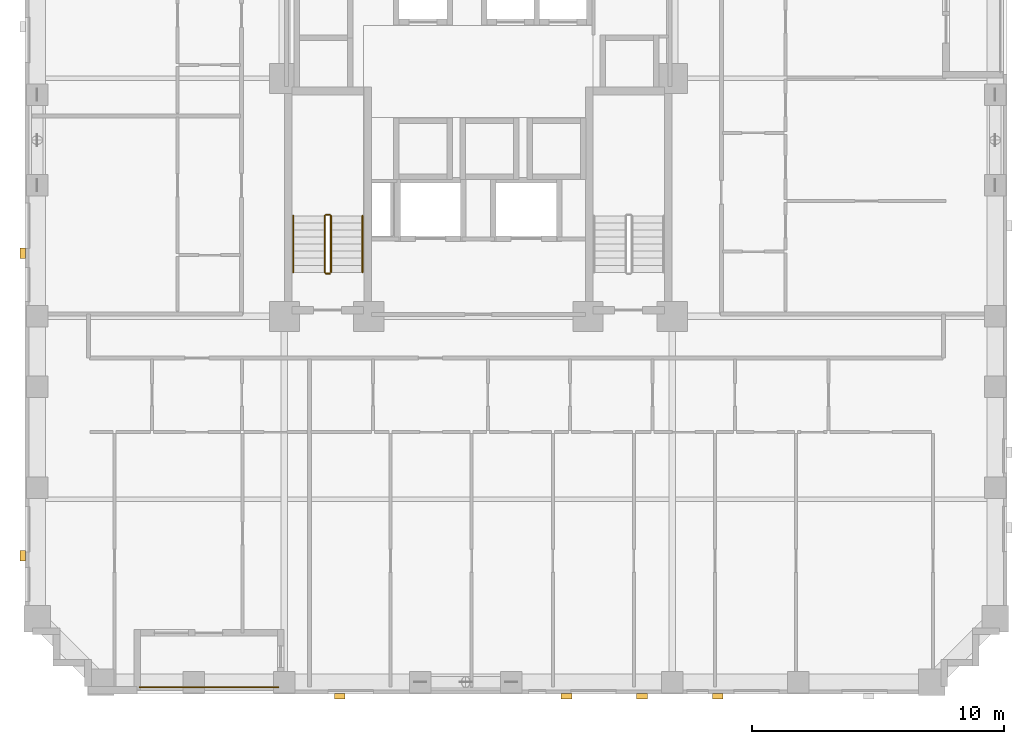
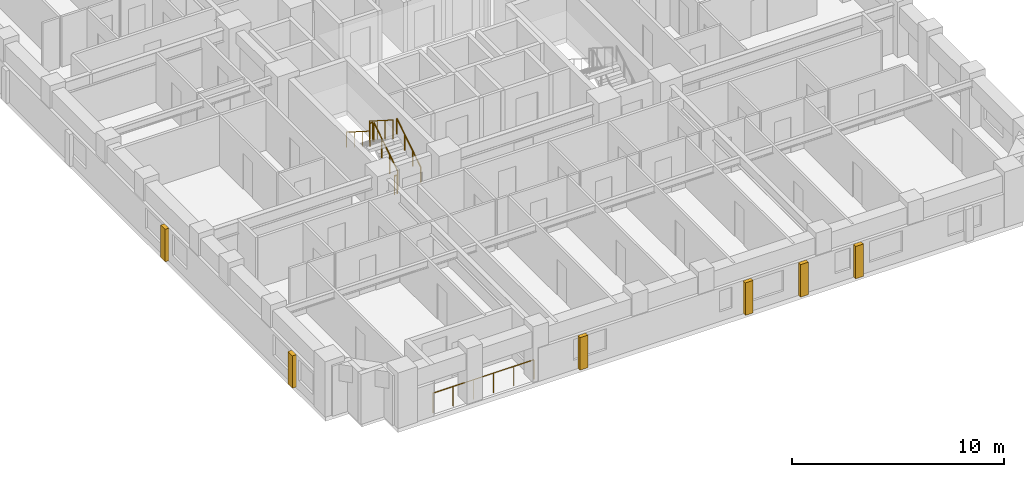
# One storey, part 12 of 14: 7 railings, 6 coverings.
"""IFC4 building model written with IfcOpenShell, lengths in metres."""

from ifc_helpers import new_model, si_unit, derived_unit, direction, frame, origin, origin_2d, place, context, subcontext, project, spatial, rectangle, circle, extrude, material, layer, layer_set, type_object, element, save


model = new_model("IFC4")

# Units and contexts
model_context = context("Model", 3, precision=1e-05, world=origin(), true_north=direction((0.0, 1.0)))
body_context = subcontext(model_context, "Body", "Model", "MODEL_VIEW")
ifc_project = project(units=[si_unit("LENGTHUNIT", "METRE"), si_unit("AREAUNIT", "SQUARE_METRE"), si_unit("VOLUMEUNIT", "CUBIC_METRE"), si_unit("PLANEANGLEUNIT", "RADIAN"), si_unit("MASSUNIT", "GRAM", prefix="KILO"), derived_unit("THERMALTRANSMITTANCEUNIT", [(si_unit("MASSUNIT", "GRAM", prefix="KILO"), 1), (si_unit("TIMEUNIT", "SECOND"), -3), (si_unit("THERMODYNAMICTEMPERATUREUNIT", "KELVIN"), -1)])], contexts=[model_context])

# Site, building, storey
site_placement = place(None, origin())
site = spatial("IfcSite", under=ifc_project, at=site_placement, CompositionType="ELEMENT")
building_placement = place(site_placement, origin())
building = spatial("IfcBuilding", under=site, at=building_placement, Name="Korrvale Station Residences", CompositionType="ELEMENT")
storey_placement = place(building_placement, frame((0.0, 0.0, 67.39990234375)))
storey = spatial("IfcBuildingStorey", under=building, at=storey_placement, Name="L18", CompositionType="ELEMENT", Elevation=67.39990234375)

# Coverings
ifc_material_1 = material(Name="Architectural precast concrete C45/55", Category="concrete")
ifc_layer = layer(ifc_material_1, 0.219970703125, Name="Architectural precast concrete C45/55")
ifc_layer_set = layer_set([ifc_layer], Name="Architectural precast concrete C45/55")
covering_type = type_object("IfcCoveringType", Name="COV-PIER-400", PredefinedType="CLADDING", material=ifc_layer_set)
for number, where, z_axis, x_axis, name in (
    (1, (35.0, -0.090087890625, 0.02490234375), (0.0, 0.0, 1.0), (1.0, 0.0, 0.0), "L18 Architectural Precast Facade Pier 02"),
    (2, (32.0, -0.090087890625, 0.02490234375), (0.0, 0.0, 1.0), (1.0, 0.0, 0.0), "L18 Architectural Precast Facade Pier 03"),
    (3, (29.0, -0.090087890625, 0.02490234375), (0.0, 0.0, 1.0), (1.0, 0.0, 0.0), "L18 Architectural Precast Facade Pier 04"),
    (4, (20.0, -0.090087890625, 0.02490234375), (0.0, 0.0, 1.0), (1.0, 0.0, 0.0), "L18 Architectural Precast Facade Pier 05"),
    (5, (7.409912109375, 5.5, 0.02490234375), (0.0, 0.0, 1.0), (0.0, 1.0, 0.0), "L18 Architectural Precast Facade Pier 12"),
    (6, (7.409912109375, 17.5, 0.02490234375), (0.0, 0.0, 1.0), (0.0, 1.0, 0.0), "L18 Architectural Precast Facade Pier 13"),
):
    element("IfcCovering", number, at=place(storey_placement, frame(where, z_axis=z_axis, x_axis=x_axis)), inside=storey, type_object=covering_type, Name=name, PredefinedType="CLADDING", context=body_context, shape_type="SweptSolid", body=[
        extrude(rectangle(XDim=0.419921875, YDim=0.219970703125, at=origin_2d()), origin(), (0.0, 0.0, 1.0), 1.864990234375),
    ])

# Railings
ifc_material_2 = material(Name="Powder-coated aluminium picket loggia guard", Category="aluminium")
railing_type_1 = type_object("IfcRailingType", Name="RLG-BAL-1150", PredefinedType="GUARDRAIL", material=ifc_material_2)
railing_1_placement = place(storey_placement, frame((12.050048828125, 0.27001953125, 0.0)))
element("IfcRailing", 7, at=railing_1_placement, inside=storey, type_object=railing_type_1, Name="L18 Recessed Loggia Guardrail BAL-L18-S1", PredefinedType="GUARDRAIL", context=body_context, shape_type="SweptSolid", body=[
    extrude(circle(Radius=0.02392578125, at=origin_2d()), frame((0.0, 0.0, 1.1259765625), z_axis=(1.0, 0.0, 0.0), x_axis=(0.0, 1.0, 0.0)), (0.0, 0.0, 1.0), 5.5),
    extrude(circle(Radius=0.02099609375, at=origin_2d()), origin(), (0.0, 0.0, 1.0), 1.101806640625),
    extrude(circle(Radius=0.02099609375, at=origin_2d()), frame((1.10009765625, 0.0, 0.0)), (0.0, 0.0, 1.0), 1.101806640625),
    extrude(circle(Radius=0.02099609375, at=origin_2d()), frame((2.199951171875, 0.0, 0.0)), (0.0, 0.0, 1.0), 1.101806640625),
    extrude(circle(Radius=0.02099609375, at=origin_2d()), frame((3.300048828125, 0.0, 0.0)), (0.0, 0.0, 1.0), 1.101806640625),
    extrude(circle(Radius=0.02099609375, at=origin_2d()), frame((4.39990234375, 0.0, 0.0)), (0.0, 0.0, 1.0), 1.101806640625),
    extrude(circle(Radius=0.02099609375, at=origin_2d()), frame((5.5, 0.0, 0.0)), (0.0, 0.0, 1.0), 1.101806640625),
])
ifc_material_3 = material(Name="Brushed stainless-steel continuous stair handrail", Category="steel")
railing_type_2 = type_object("IfcRailingType", Name="RLG-SHND-900", PredefinedType="HANDRAIL", material=ifc_material_3)
railing_2_placement = place(storey_placement, frame((20.89990234375, 16.75, 0.177978515625)))
element("IfcRailing", 8, at=railing_2_placement, inside=storey, type_object=railing_type_2, Name="L18 ST-1 stair handrail 1", PredefinedType="HANDRAIL", context=body_context, shape_type="SweptSolid", body=[
    extrude(circle(Radius=0.02392578125, at=origin_2d()), frame((0.0, 0.0, 0.8759765625), z_axis=(0.0, 0.8442293374, 0.53598211339), x_axis=(-1.0, 0.0, 0.0)), (0.0, 0.0, 1.0), 2.6533203125),
    extrude(circle(Radius=0.02099609375, at=origin_2d()), origin(), (0.0, 0.0, 1.0), 0.851806640625),
    extrude(circle(Radius=0.02099609375, at=origin_2d()), frame((0.0, 0.74658203125, 0.47412109375)), (0.0, 0.0, 1.0), 0.851806640625),
    extrude(circle(Radius=0.02099609375, at=origin_2d()), frame((0.0, 1.493408203125, 0.947998046875)), (0.0, 0.0, 1.0), 0.851806640625),
    extrude(circle(Radius=0.02099609375, at=origin_2d()), frame((0.0, 2.239990234375, 1.422119140625)), (0.0, 0.0, 1.0), 0.851806640625),
])
railing_3_placement = place(storey_placement, frame((18.14990234375, 18.989990234375, 1.77783203125)))
element("IfcRailing", 9, at=railing_3_placement, inside=storey, type_object=railing_type_2, Name="L18 ST-1 stair handrail 2", PredefinedType="HANDRAIL", context=body_context, shape_type="SweptSolid", body=[
    extrude(circle(Radius=0.02392578125, at=origin_2d()), frame((0.0, 0.0, 0.8759765625), z_axis=(0.0, -0.84418770128, 0.536047689118), x_axis=(1.0, 0.0, 0.0)), (0.0, 0.0, 1.0), 2.6533203125),
    extrude(circle(Radius=0.02099609375, at=origin_2d()), origin(), (0.0, 0.0, 1.0), 0.851806640625),
    extrude(circle(Radius=0.02099609375, at=origin_2d()), frame((0.0, -0.74658203125, 0.47412109375)), (0.0, 0.0, 1.0), 0.851806640625),
    extrude(circle(Radius=0.02099609375, at=origin_2d()), frame((0.0, -1.493408203125, 0.9482421875)), (0.0, 0.0, 1.0), 0.851806640625),
    extrude(circle(Radius=0.02099609375, at=origin_2d()), frame((0.0, -2.239990234375, 1.42236328125)), (0.0, 0.0, 1.0), 0.851806640625),
])
ifc_material_4 = material(Name="Galvanised painted tubular steel stair guard", Category="steel")
railing_type_3 = type_object("IfcRailingType", Name="RLG-STR-1100", PredefinedType="GUARDRAIL", material=ifc_material_4)
railing_4_placement = place(storey_placement, frame((19.64990234375, 16.75, 0.177978515625)))
element("IfcRailing", 10, at=railing_4_placement, inside=storey, type_object=railing_type_3, Name="L18 ST-1 stair guard 1", PredefinedType="GUARDRAIL", context=body_context, shape_type="SweptSolid", body=[
    extrude(circle(Radius=0.02392578125, at=origin_2d()), frame((0.0, 0.0, 1.076171875), z_axis=(0.0, 0.8442293374, 0.53598211339), x_axis=(-1.0, 0.0, 0.0)), (0.0, 0.0, 1.0), 2.6533203125),
    extrude(circle(Radius=0.02099609375, at=origin_2d()), origin(), (0.0, 0.0, 1.0), 1.052001953125),
    extrude(circle(Radius=0.02099609375, at=origin_2d()), frame((0.0, 0.74658203125, 0.47412109375)), (0.0, 0.0, 1.0), 1.052001953125),
    extrude(circle(Radius=0.02099609375, at=origin_2d()), frame((0.0, 1.493408203125, 0.947998046875)), (0.0, 0.0, 1.0), 1.052001953125),
    extrude(circle(Radius=0.02099609375, at=origin_2d()), frame((0.0, 2.239990234375, 1.422119140625)), (0.0, 0.0, 1.0), 1.052001953125),
])
railing_5_placement = place(storey_placement, frame((19.60009765625, 19.0400390625, 1.60009765625)))
element("IfcRailing", 11, at=railing_5_placement, inside=storey, type_object=railing_type_3, Name="L18 ST-1 stair guard 2", PredefinedType="GUARDRAIL", context=body_context, shape_type="SweptSolid", body=[
    extrude(circle(Radius=0.02392578125, at=origin_2d()), frame((0.0, 0.0, 1.076171875), z_axis=(-1.0, 0.0, 0.0), x_axis=(0.0, -1.0, 0.0)), (0.0, 0.0, 1.0), 0.150146484375),
    extrude(circle(Radius=0.02099609375, at=origin_2d()), origin(), (0.0, 0.0, 1.0), 1.052001953125),
    extrude(circle(Radius=0.02099609375, at=origin_2d()), frame((-0.150146484375, 0.0, 0.0)), (0.0, 0.0, 1.0), 1.052001953125),
])
railing_6_placement = place(storey_placement, frame((19.39990234375, 18.989990234375, 1.77783203125)))
element("IfcRailing", 12, at=railing_6_placement, inside=storey, type_object=railing_type_3, Name="L18 ST-1 stair guard 3", PredefinedType="GUARDRAIL", context=body_context, shape_type="SweptSolid", body=[
    extrude(circle(Radius=0.02392578125, at=origin_2d()), frame((0.0, 0.0, 1.076171875), z_axis=(0.0, -0.84418770128, 0.536047689118), x_axis=(1.0, 0.0, 0.0)), (0.0, 0.0, 1.0), 2.6533203125),
    extrude(circle(Radius=0.02099609375, at=origin_2d()), origin(), (0.0, 0.0, 1.0), 1.052001953125),
    extrude(circle(Radius=0.02099609375, at=origin_2d()), frame((0.0, -0.74658203125, 0.47412109375)), (0.0, 0.0, 1.0), 1.052001953125),
    extrude(circle(Radius=0.02099609375, at=origin_2d()), frame((0.0, -1.493408203125, 0.9482421875)), (0.0, 0.0, 1.0), 1.052001953125),
    extrude(circle(Radius=0.02099609375, at=origin_2d()), frame((0.0, -2.239990234375, 1.42236328125)), (0.0, 0.0, 1.0), 1.052001953125),
])
railing_7_placement = place(storey_placement, frame((19.60009765625, 16.699951171875, 0.0)))
element("IfcRailing", 13, at=railing_7_placement, inside=storey, type_object=railing_type_3, Name="L18 ST-1 stair guard 4", PredefinedType="GUARDRAIL", context=body_context, shape_type="SweptSolid", body=[
    extrude(circle(Radius=0.02392578125, at=origin_2d()), frame((0.0, 0.0, 1.076171875), z_axis=(-1.0, 0.0, 0.0), x_axis=(0.0, -1.0, 0.0)), (0.0, 0.0, 1.0), 0.150146484375),
    extrude(circle(Radius=0.02099609375, at=origin_2d()), origin(), (0.0, 0.0, 1.0), 1.052001953125),
    extrude(circle(Radius=0.02099609375, at=origin_2d()), frame((-0.150146484375, 0.0, 0.0)), (0.0, 0.0, 1.0), 1.052001953125),
])

save(model, "model.ifc")
